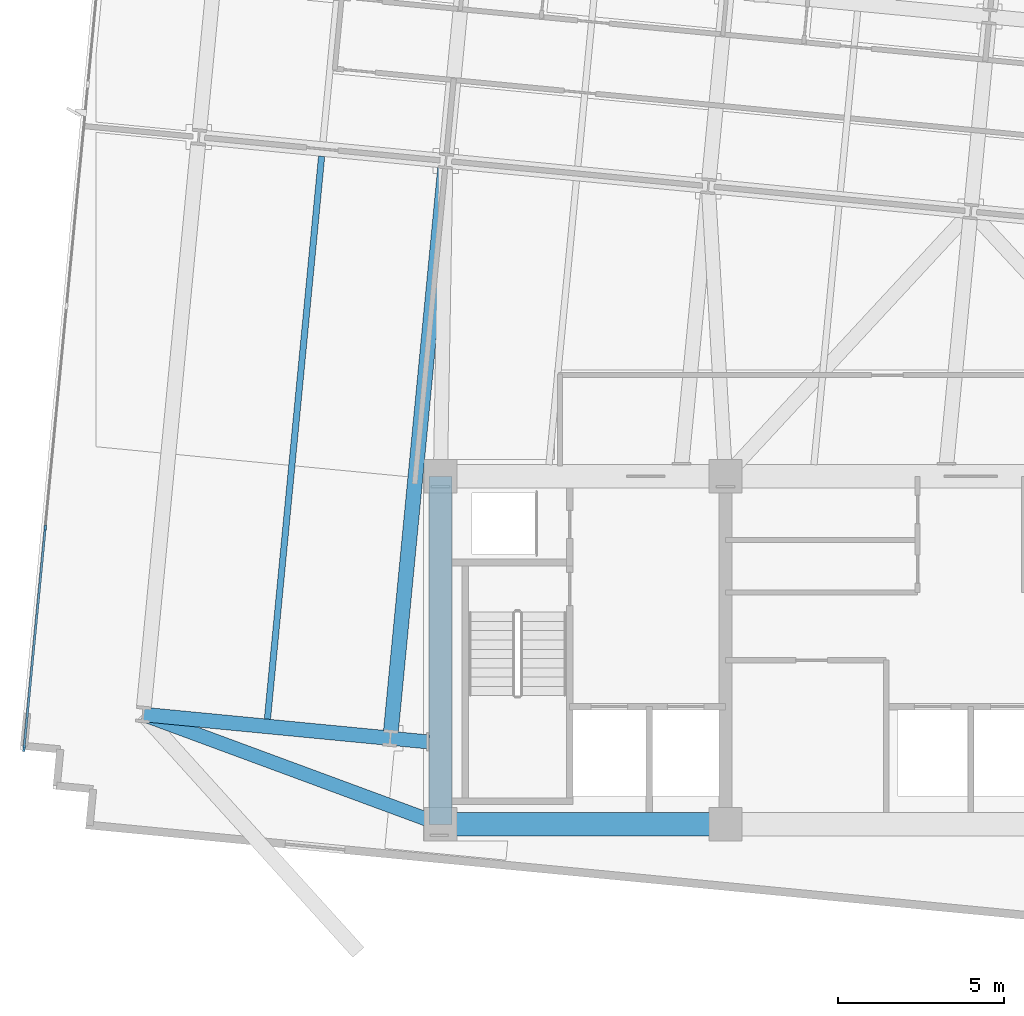
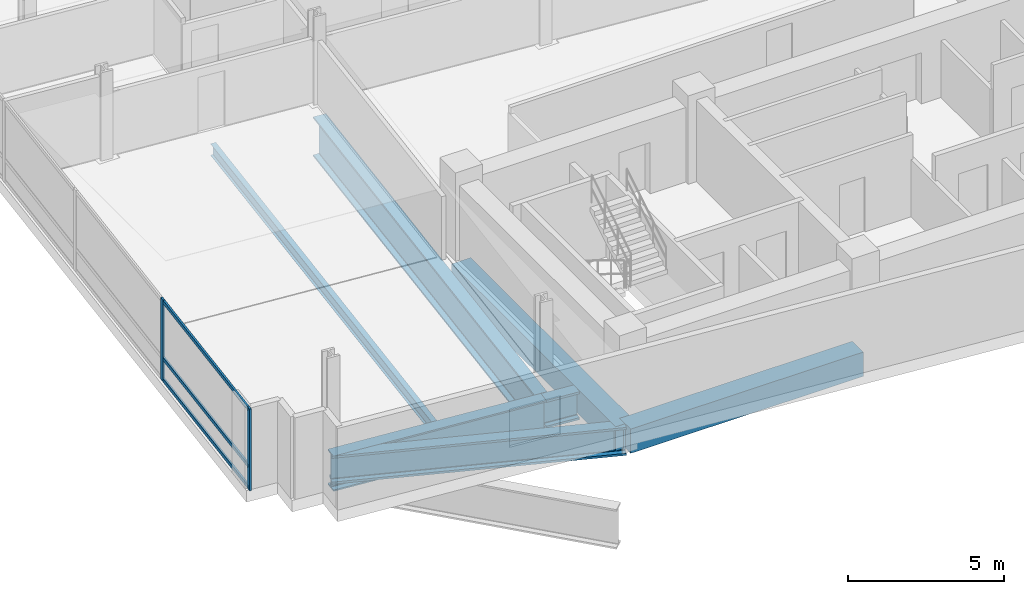
# One storey, part 2 of 18: 7 beams, 5 members, 1 element without a shape of its own.
"""IFC4 building model written with IfcOpenShell, lengths in metres."""

from ifc_helpers import new_model, si_unit, direction, frame, origin, origin_2d, place, context, subcontext, project, spatial, rectangle, i_section, extrude, material, material_profile, profile_set, type_object, element, aggregate, save


model = new_model("IFC4")

# Units and contexts
model_context = context("Model", 3, precision=1e-05, world=origin(), true_north=direction((0.0, 1.0)))
body_context = subcontext(model_context, "Body", "Model", "MODEL_VIEW")
ifc_project = project(units=[si_unit("LENGTHUNIT", "METRE"), si_unit("AREAUNIT", "SQUARE_METRE"), si_unit("VOLUMEUNIT", "CUBIC_METRE"), si_unit("PLANEANGLEUNIT", "RADIAN"), si_unit("MASSUNIT", "GRAM", prefix="KILO")], contexts=[model_context])

# Site, building, storey
site_placement = place(None, origin())
site = spatial("IfcSite", under=ifc_project, at=site_placement, CompositionType="ELEMENT")
building_placement = place(site_placement, origin())
building = spatial("IfcBuilding", under=site, at=building_placement, Name="Solmavex Isthmus Hotel", CompositionType="ELEMENT")
storey_placement = place(building_placement, frame((0.0, 0.0, 135.89990234375)))
storey = spatial("IfcBuildingStorey", under=building, at=storey_placement, Name="L36", CompositionType="ELEMENT", Elevation=135.89990234375)

# Beams
ifc_material_1 = material(Name="Steel ASTM A992 Grade 50", Category="steel")
ifc_material_profile_1 = material_profile(ifc_material_1, i_section(OverallWidth=0.1904296875, OverallDepth=0.456787109375, WebThickness=0.009033203125, FlangeThickness=0.014404296875, FilletRadius=0.0126953125, at=origin_2d()), Name="W18X50")
ifc_profile_set_1 = profile_set([ifc_material_profile_1], Name="Steel ASTM A992 Grade 50")
beam_type_1 = type_object("IfcBeamType", Name="BM-BJ-W18X50", PredefinedType="JOIST", material=ifc_profile_set_1)
beam_1_placement = place(storey_placement, frame((-21.220458984375, -9.826171875, -0.678466796875), z_axis=(0.095853111028, 0.995395489796, 0.0), x_axis=(-0.995395489796, 0.095853111028, 0.0)))
element("IfcBeam", 1, at=beam_1_placement, inside=storey, type_object=beam_type_1, Name="Secondary Floor Joist L36-J01", PredefinedType="JOIST", context=body_context, shape_type="SweptSolid", body=[
    extrude(i_section(OverallWidth=0.1904296875, OverallDepth=0.456787109375, WebThickness=0.009033203125, FlangeThickness=0.014404296875, FilletRadius=0.0126953125, at=origin_2d()), origin(), (0.0, 0.0, 1.0), 17.06005859375),
])
ifc_material_2 = material(Name="Concrete C60/75", Category="concrete")
ifc_material_profile_2 = material_profile(ifc_material_2, rectangle(XDim=0.699951171875, YDim=0.949951171875, at=origin_2d()), Name="RC700X950")
ifc_profile_set_2 = profile_set([ifc_material_profile_2], Name="Concrete C60/75")
beam_type_2 = type_object("IfcBeamType", Name="BM-CB-700X950", PredefinedType="BEAM", material=ifc_profile_set_2)
beam_2_placement = place(storey_placement, frame((-16.0, -13.0, -0.9248046875), z_axis=(1.0, 0.0, 0.0), x_axis=(0.0, 1.0, 0.0)))
element("IfcBeam", 2, at=beam_2_placement, inside=storey, type_object=beam_type_2, Name="Core Coupling Beam L36-CB1", PredefinedType="BEAM", context=body_context, shape_type="SweptSolid", body=[
    extrude(rectangle(XDim=0.699951171875, YDim=0.949951171875, at=origin_2d()), origin(), (0.0, 0.0, 1.0), 8.60009765625),
])
beam_3_placement = place(storey_placement, frame((-16.0, -13.0, -0.9248046875), z_axis=(0.0, 1.0, 0.0), x_axis=(-1.0, 0.0, 0.0)))
element("IfcBeam", 3, at=beam_3_placement, inside=storey, type_object=beam_type_2, Name="Core Coupling Beam L36-CB7", PredefinedType="BEAM", context=body_context, shape_type="SweptSolid", body=[
    extrude(rectangle(XDim=0.699951171875, YDim=0.949951171875, at=origin_2d()), origin(), (0.0, 0.0, 1.0), 10.5),
])
ifc_material_3 = material(Name="Steel ASTM A572 Grade 50", Category="steel")
ifc_material_profile_3 = material_profile(ifc_material_3, i_section(OverallWidth=0.449951171875, OverallDepth=1.550048828125, WebThickness=0.031982421875, FlangeThickness=0.06494140625, FilletRadius=0.030517578125, at=origin_2d()), Name="I1550X450")
ifc_profile_set_3 = profile_set([ifc_material_profile_3], Name="Steel ASTM A572 Grade 50")
beam_type_3 = type_object("IfcBeamType", Name="BM-TB-G1550", PredefinedType="BEAM", material=ifc_profile_set_3)
beam_4_placement = place(storey_placement, frame((-17.49365234375, -10.18505859375, -1.224853515625), z_axis=(0.095838931777, 0.995396855107, 0.0), x_axis=(-0.995396855107, 0.095838931777, 0.0)))
element("IfcBeam", 4, at=beam_4_placement, inside=storey, type_object=beam_type_3, Name="Outrigger Collector Beam L36-VG24", PredefinedType="BEAM", context=body_context, shape_type="SweptSolid", body=[
    extrude(i_section(OverallWidth=0.449951171875, OverallDepth=1.550048828125, WebThickness=0.031982421875, FlangeThickness=0.06494140625, FilletRadius=0.030517578125, at=origin_2d()), origin(), (0.0, 0.0, 1.0), 17.06005859375),
])
ifc_material_4 = material(Name="Steel ASTM A913 Grade 65", Category="steel")
ifc_material_profile_4 = material_profile(ifc_material_4, i_section(OverallWidth=0.42431640625, OverallDepth=1.09228515625, WebThickness=0.04541015625, FlangeThickness=0.08203125, FilletRadius=0.030517578125, at=origin_2d()), Name="W40X593")
ifc_profile_set_4 = profile_set([ifc_material_profile_4], Name="Steel ASTM A913 Grade 65")
beam_type_4 = type_object("IfcBeamType", Name="BM-TB-W40X397", PredefinedType="BEAM", material=ifc_profile_set_4)
beam_5_placement = place(storey_placement, frame((-16.0, -13.0, -0.99609375), z_axis=(-0.938016156935, 0.346591530954, 0.0), x_axis=(-0.346591530954, -0.938016156935, 0.0)))
element("IfcBeam", 5, at=beam_5_placement, inside=storey, type_object=beam_type_4, Name="Core Outrigger Strut L35-OTSW", PredefinedType="BEAM", context=body_context, shape_type="SweptSolid", body=[
    extrude(i_section(OverallWidth=0.42431640625, OverallDepth=1.09228515625, WebThickness=0.04541015625, FlangeThickness=0.08203125, FilletRadius=0.030517578125, at=origin_2d()), origin(), (0.0, 0.0, 1.0), 9.560791015625),
])
ifc_material_profile_5 = material_profile(ifc_material_3, i_section(OverallWidth=0.43994140625, OverallDepth=1.3798828125, WebThickness=0.030029296875, FlangeThickness=0.054931640625, FilletRadius=0.030517578125, at=origin_2d()), Name="I1380X440")
ifc_profile_set_5 = profile_set([ifc_material_profile_5], Name="Steel ASTM A572 Grade 50")
beam_type_5 = type_object("IfcBeamType", Name="BM-TG-I1380", PredefinedType="BEAM", material=ifc_profile_set_5)
beam_6_placement = place(storey_placement, frame((-24.96826171875, -9.686279296875, -1.139892578125), z_axis=(0.995395279593, -0.095855293875, 0.0), x_axis=(0.095855293875, 0.995395279593, 0.0)))
element("IfcBeam", 6, at=beam_6_placement, inside=storey, type_object=beam_type_5, Name="Outrigger Collector Girder L36-UG01", PredefinedType="BEAM", context=body_context, shape_type="SweptSolid", body=[
    extrude(i_section(OverallWidth=0.43994140625, OverallDepth=1.3798828125, WebThickness=0.030029296875, FlangeThickness=0.054931640625, FilletRadius=0.030517578125, at=origin_2d()), origin(), (0.0, 0.0, 1.0), 7.488037109375),
])
ifc_material_profile_6 = material_profile(ifc_material_4, i_section(OverallWidth=0.42431640625, OverallDepth=1.09228515625, WebThickness=0.04541015625, FlangeThickness=0.08203125, FilletRadius=0.030517578125, at=origin_2d()), Name="W40X593")
ifc_profile_set_6 = profile_set([ifc_material_profile_6], Name="Steel ASTM A913 Grade 65")
beam_type_6 = type_object("IfcBeamType", Name="BM-TG-W40X593", PredefinedType="BEAM", material=ifc_profile_set_6)
beam_7_placement = place(storey_placement, frame((-17.5146484375, -10.404052734375, -0.99609375), z_axis=(0.995402144456, -0.095783979938, 0.0), x_axis=(0.095783979938, 0.995402144456, 0.0)))
element("IfcBeam", 7, at=beam_7_placement, inside=storey, type_object=beam_type_6, Name="Outrigger Collector Girder L36-UG02", PredefinedType="BEAM", context=body_context, shape_type="SweptSolid", body=[
    extrude(i_section(OverallWidth=0.42431640625, OverallDepth=1.09228515625, WebThickness=0.04541015625, FlangeThickness=0.08203125, FilletRadius=0.030517578125, at=origin_2d()), origin(), (0.0, 0.0, 1.0), 1.169921875),
])

# Curtain wall, members
ifc_material_5 = material(Name="Aluminium alloy 6063-T6", Category="aluminium")
curtain_wall_type = type_object("IfcCurtainWallType", Name="CW-SYS-03", PredefinedType="NOTDEFINED", material=ifc_material_5)
curtain_wall_placement = place(storey_placement, origin())
curtain_wall = element("IfcCurtainWall", 8, at=curtain_wall_placement, inside=storey, type_object=curtain_wall_type, Name="Stick Curtain Wall CWL-L36-W1", PredefinedType="NOTDEFINED")
ifc_material_profile_7 = material_profile(ifc_material_5, rectangle(XDim=0.070068359375, YDim=0.179931640625, at=origin_2d()), Name="CWM-70X180")
ifc_profile_set_7 = profile_set([ifc_material_profile_7], Name="Aluminium alloy 6063-T6")
member_type_1 = type_object("IfcMemberType", Name="CW-SYS-03-MUL", PredefinedType="MULLION", material=ifc_profile_set_7)
member_1_placement = place(storey_placement, frame((-28.56298828125, -10.71142578125, 0.0), z_axis=(0.0, 0.0, 1.0), x_axis=(-0.995396190038, 0.09584583902, 0.0)))
member_1 = element("IfcMember", 9, at=member_1_placement, type_object=member_type_1, Name="CW-03 mullion 1", PredefinedType="MULLION", context=body_context, shape_type="SweptSolid", body=[
    extrude(rectangle(XDim=0.070068359375, YDim=0.179931640625, at=origin_2d()), origin(), (0.0, 0.0, 1.0), 3.190185546875),
])
member_2_placement = place(storey_placement, frame((-27.92236328125, -4.057373046875, 0.0), z_axis=(0.0, 0.0, 1.0), x_axis=(-0.995396190038, 0.09584583902, 0.0)))
member_2 = element("IfcMember", 10, at=member_2_placement, type_object=member_type_1, Name="CW-03 mullion 2", PredefinedType="MULLION", context=body_context, shape_type="SweptSolid", body=[
    extrude(rectangle(XDim=0.070068359375, YDim=0.179931640625, at=origin_2d()), origin(), (0.0, 0.0, 1.0), 3.190185546875),
])
ifc_material_profile_8 = material_profile(ifc_material_5, rectangle(XDim=0.070068359375, YDim=0.139892578125, at=origin_2d()), Name="CWT-70X140")
ifc_profile_set_8 = profile_set([ifc_material_profile_8], Name="Aluminium alloy 6063-T6")
member_type_2 = type_object("IfcMemberType", Name="CW-SYS-03-TRN", PredefinedType="USERDEFINED", material=ifc_profile_set_8)
member_3_placement = place(storey_placement, frame((-28.559814453125, -10.6767578125, 0.070068359375), z_axis=(0.095845316679, 0.995396240334, 0.0), x_axis=(-0.995396240334, 0.095845316679, 0.0)))
member_3 = element("IfcMember", 11, at=member_3_placement, type_object=member_type_2, Name="CW-03 transom 1.1", ObjectType="TRANSOM", PredefinedType="USERDEFINED", context=body_context, shape_type="SweptSolid", body=[
    extrude(rectangle(XDim=0.070068359375, YDim=0.139892578125, at=origin_2d()), origin(), (0.0, 0.0, 1.0), 6.615234375),
])
member_4_placement = place(storey_placement, frame((-28.559814453125, -10.6767578125, 0.900146484375), z_axis=(0.095845316679, 0.995396240334, 0.0), x_axis=(-0.995396240334, 0.095845316679, 0.0)))
member_4 = element("IfcMember", 12, at=member_4_placement, type_object=member_type_2, Name="CW-03 transom 1.2", ObjectType="TRANSOM", PredefinedType="USERDEFINED", context=body_context, shape_type="SweptSolid", body=[
    extrude(rectangle(XDim=0.070068359375, YDim=0.139892578125, at=origin_2d()), origin(), (0.0, 0.0, 1.0), 6.615234375),
])
member_5_placement = place(storey_placement, frame((-28.559814453125, -10.6767578125, 3.1201171875), z_axis=(0.095845316679, 0.995396240334, 0.0), x_axis=(-0.995396240334, 0.095845316679, 0.0)))
member_5 = element("IfcMember", 13, at=member_5_placement, type_object=member_type_2, Name="CW-03 transom 1.3", ObjectType="TRANSOM", PredefinedType="USERDEFINED", context=body_context, shape_type="SweptSolid", body=[
    extrude(rectangle(XDim=0.070068359375, YDim=0.139892578125, at=origin_2d()), origin(), (0.0, 0.0, 1.0), 6.615234375),
])
aggregate(curtain_wall, [member_1, member_2, member_3, member_4, member_5])

save(model, "model.ifc")
